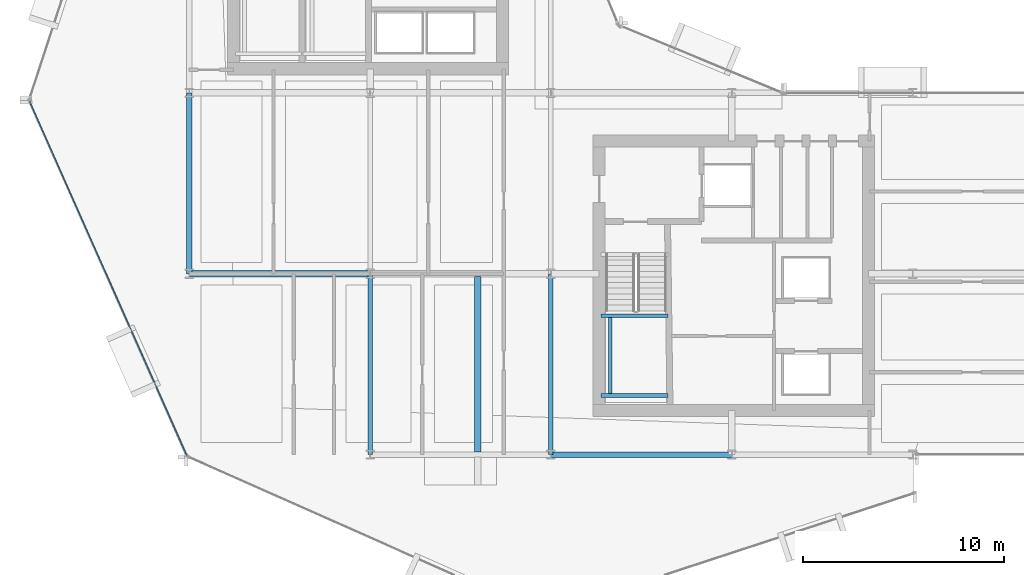
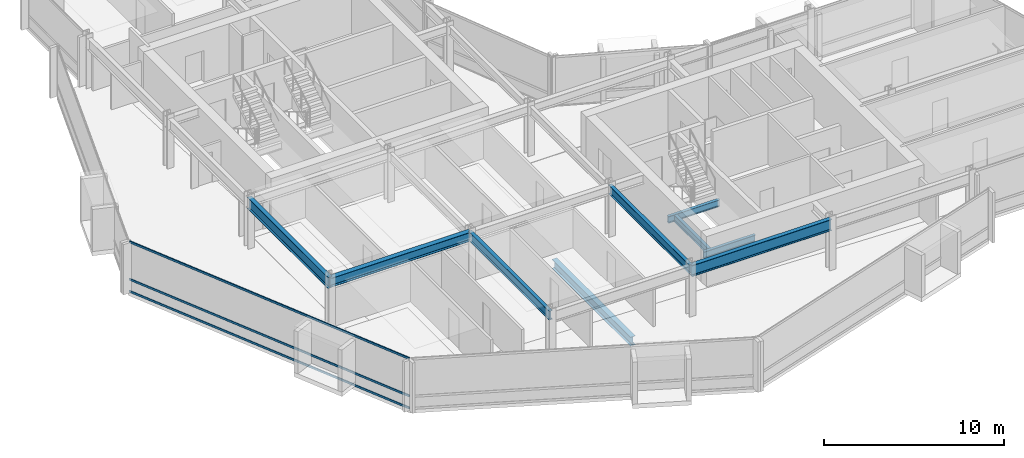
# One storey, part 5 of 29: 9 beams, 3 members, 1 element without a shape of its own.
"""IFC4 building model written with IfcOpenShell, lengths in metres."""

from ifc_helpers import new_model, si_unit, direction, frame, origin, origin_2d, place, context, subcontext, project, spatial, hollow_rectangle, i_section, extrude, material, layer, layer_set, material_profile, profile_set, type_object, element, aggregate, save


model = new_model("IFC4")

# Units and contexts
model_context = context("Model", 3, precision=1e-05, world=origin(), true_north=direction((0.0, 1.0)))
body_context = subcontext(model_context, "Body", "Model", "MODEL_VIEW")
ifc_project = project(units=[si_unit("LENGTHUNIT", "METRE"), si_unit("AREAUNIT", "SQUARE_METRE"), si_unit("VOLUMEUNIT", "CUBIC_METRE"), si_unit("PLANEANGLEUNIT", "RADIAN"), si_unit("MASSUNIT", "GRAM", prefix="KILO")], contexts=[model_context])

# Site, building, storey
site_placement = place(None, origin())
site = spatial("IfcSite", under=ifc_project, at=site_placement, CompositionType="ELEMENT")
building_placement = place(site_placement, origin())
building = spatial("IfcBuilding", under=site, at=building_placement, Name="Solvaryn Broadcast Tower", CompositionType="ELEMENT")
storey_placement = place(building_placement, frame((0.0, 0.0, 117.39990234375)))
storey = spatial("IfcBuildingStorey", under=building, at=storey_placement, Name="L28", CompositionType="ELEMENT", Elevation=117.39990234375)

# Beams
ifc_material_1 = material(Name="Steel ASTM A992 Grade 50", Category="steel")
ifc_material_profile_1 = material_profile(ifc_material_1, i_section(OverallWidth=0.323974609375, OverallDepth=0.611083984375, WebThickness=0.0126953125, FlangeThickness=0.01904296875, FilletRadius=0.014892578125, at=origin_2d()))
ifc_profile_set_1 = profile_set([ifc_material_profile_1], Name="Steel ASTM A992 Grade 50")
beam_type_1 = type_object("IfcBeamType", Name="BM-B1-W24X104", PredefinedType="BEAM", material=ifc_profile_set_1)
beam_1_placement = place(storey_placement, frame((23.35009765625, 17.875, -0.58544921875), z_axis=(0.0, -1.0, 0.0), x_axis=(1.0, 0.0, 0.0)))
element("IfcBeam", 1, at=beam_1_placement, inside=storey, type_object=beam_type_1, Name="L28 Bay-Box Back-Span Beam 1", PredefinedType="BEAM", context=body_context, shape_type="SweptSolid", body=[
    extrude(i_section(OverallWidth=0.323974609375, OverallDepth=0.611083984375, WebThickness=0.0126953125, FlangeThickness=0.01904296875, FilletRadius=0.014892578125, at=origin_2d()), origin(), (0.0, 0.0, 1.0), 8.75),
])
beam_2_placement = place(storey_placement, frame((9.0, 18.0, 3.114501953125), z_axis=(1.0, 0.0, 0.0), x_axis=(0.0, 1.0, 0.0)))
element("IfcBeam", 2, at=beam_2_placement, inside=storey, type_object=beam_type_1, Name="L28 Primary Beam X (9-18 @ Y=18)", PredefinedType="BEAM", context=body_context, shape_type="SweptSolid", body=[
    extrude(i_section(OverallWidth=0.323974609375, OverallDepth=0.611083984375, WebThickness=0.0126953125, FlangeThickness=0.01904296875, FilletRadius=0.014892578125, at=origin_2d()), origin(), (0.0, 0.0, 1.0), 9.0),
])
ifc_material_2 = material(Name="Steel ASTM A992 Grade 50", Category="steel")
ifc_material_profile_2 = material_profile(ifc_material_2, i_section(OverallWidth=0.22802734375, OverallDepth=0.60791015625, WebThickness=0.01123046875, FlangeThickness=0.017333984375, FilletRadius=0.014892578125, at=origin_2d()))
ifc_profile_set_2 = profile_set([ifc_material_profile_2], Name="Steel ASTM A992 Grade 50")
beam_type_2 = type_object("IfcBeamType", Name="BM-B2-W24X76", PredefinedType="BEAM", material=ifc_profile_set_2)
for number, where, z_axis, x_axis, name in (
    (3, (18.0, 9.0, 3.1162109375), (0.0, 1.0, 0.0), (-1.0, 0.0, 0.0), "L28 Primary Beam Y (9-18 @ X=18)"),
    (4, (27.0, 9.0, 3.1162109375), (0.0, 1.0, 0.0), (-1.0, 0.0, 0.0), "L28 Primary Beam Y (9-18 @ X=27)"),
):
    element("IfcBeam", number, at=place(storey_placement, frame(where, z_axis=z_axis, x_axis=x_axis)), inside=storey, type_object=beam_type_2, Name=name, PredefinedType="BEAM", context=body_context, shape_type="SweptSolid", body=[
        extrude(i_section(OverallWidth=0.22802734375, OverallDepth=0.60791015625, WebThickness=0.01123046875, FlangeThickness=0.017333984375, FilletRadius=0.014892578125, at=origin_2d()), origin(), (0.0, 0.0, 1.0), 9.0),
    ])
ifc_material_3 = material(Name="Steel ASTM A992 Grade 50", Category="steel")
ifc_material_profile_3 = material_profile(ifc_material_3, i_section(OverallWidth=0.18994140625, OverallDepth=0.45703125, WebThickness=0.009033203125, FlangeThickness=0.014404296875, FilletRadius=0.011962890625, at=origin_2d()))
ifc_profile_set_3 = profile_set([ifc_material_profile_3], Name="Steel ASTM A992 Grade 50")
beam_type_3 = type_object("IfcBeamType", Name="BM-B4-W18X50", PredefinedType="BEAM", material=ifc_profile_set_3)
for number, where, z_axis, x_axis, name in (
    (5, (29.5, 11.949951171875, 1.421630859375), (1.0, 0.0, 0.0), (0.0, 1.0, 0.0), "L28 ST3 Landing Support Beam 1A"),
    (6, (29.5, 15.909912109375, 1.421630859375), (1.0, 0.0, 0.0), (0.0, 1.0, 0.0), "L28 ST3 Landing Support Beam 1B"),
):
    element("IfcBeam", number, at=place(storey_placement, frame(where, z_axis=z_axis, x_axis=x_axis)), inside=storey, type_object=beam_type_3, Name=name, PredefinedType="BEAM", context=body_context, shape_type="SweptSolid", body=[
        extrude(i_section(OverallWidth=0.18994140625, OverallDepth=0.45703125, WebThickness=0.009033203125, FlangeThickness=0.014404296875, FilletRadius=0.011962890625, at=origin_2d()), origin(), (0.0, 0.0, 1.0), 3.320068359375),
    ])
beam_3_placement = place(storey_placement, frame((29.949951171875, 11.949951171875, 1.421630859375), z_axis=(0.0, 1.0, 0.0), x_axis=(-1.0, 0.0, 0.0)))
element("IfcBeam", 7, at=beam_3_placement, inside=storey, type_object=beam_type_3, Name="L28 ST3 Landing Cross Stringer 1C", PredefinedType="BEAM", context=body_context, shape_type="SweptSolid", body=[
    extrude(i_section(OverallWidth=0.18994140625, OverallDepth=0.45703125, WebThickness=0.009033203125, FlangeThickness=0.014404296875, FilletRadius=0.011962890625, at=origin_2d()), origin(), (0.0, 0.0, 1.0), 3.9599609375),
])
ifc_material_4 = material(Name="Steel ASTM A992 Grade 50", Category="steel")
ifc_material_profile_4 = material_profile(ifc_material_4, i_section(OverallWidth=0.26708984375, OverallDepth=0.76611328125, WebThickness=0.014892578125, FlangeThickness=0.023681640625, FilletRadius=0.01806640625, at=origin_2d()))
ifc_profile_set_4 = profile_set([ifc_material_profile_4], Name="Steel ASTM A992 Grade 50")
beam_type_4 = type_object("IfcBeamType", Name="BM-SP2-W30X124", PredefinedType="USERDEFINED", material=ifc_profile_set_4)
for number, where, z_axis, x_axis, name in (
    (8, (27.0, 9.0, 3.037109375), (1.0, 0.0, 0.0), (0.0, 1.0, 0.0), "L28 Spandrel Beam X (27-36 @ Y=9)"),
    (9, (9.0, 18.0, 3.037109375), (0.0, 1.0, 0.0), (-1.0, 0.0, 0.0), "L28 Spandrel Beam Y (18-27 @ X=9)"),
):
    element("IfcBeam", number, at=place(storey_placement, frame(where, z_axis=z_axis, x_axis=x_axis)), inside=storey, type_object=beam_type_4, Name=name, ObjectType="SPANDREL", PredefinedType="USERDEFINED", context=body_context, shape_type="SweptSolid", body=[
        extrude(i_section(OverallWidth=0.26708984375, OverallDepth=0.76611328125, WebThickness=0.014892578125, FlangeThickness=0.023681640625, FilletRadius=0.01806640625, at=origin_2d()), origin(), (0.0, 0.0, 1.0), 9.0),
    ])

# Curtain wall, members
ifc_material_5 = material(Name="Aluminium and Terracotta Unitised Curtain Wall", Category="masonry")
ifc_layer = layer(ifc_material_5, 0.239990234375)
ifc_layer_set = layer_set([ifc_layer], Name="CW-SYS3-BAYBOX")
curtain_wall_type = type_object("IfcCurtainWallType", Name="CW-SYS3-BAYBOX", PredefinedType="NOTDEFINED", material=ifc_layer_set)
curtain_wall_placement = place(storey_placement, origin())
curtain_wall = element("IfcCurtainWall", 10, at=curtain_wall_placement, inside=storey, type_object=curtain_wall_type, Name="L28 Curtain Wall DR2", PredefinedType="NOTDEFINED")
ifc_material_6 = material(Name="Anodised Aluminium 6063-T6", Category="aluminium")
ifc_material_profile_5 = material_profile(ifc_material_6, hollow_rectangle(XDim=0.06494140625, YDim=0.14990234375, WallThickness=0.00390625, InnerFilletRadius=0.00390625, OuterFilletRadius=0.008056640625, at=origin_2d()))
ifc_profile_set_5 = profile_set([ifc_material_profile_5], Name="Anodised Aluminium 6063-T6")
member_type = type_object("IfcMemberType", Name="CW-TRN-150", PredefinedType="USERDEFINED", material=ifc_profile_set_5)
member_1_placement = place(storey_placement, frame((1.058349609375, 26.5810546875, 0.030029296875), z_axis=(0.405917546252, -0.913909703223, 0.0), x_axis=(0.913909703223, 0.405917546252, 0.0)))
member_1 = element("IfcMember", 11, at=member_1_placement, type_object=member_type, Name="CWS3 transom 1.1", ObjectType="TRANSOM", PredefinedType="USERDEFINED", context=body_context, shape_type="SweptSolid", body=[
    extrude(hollow_rectangle(XDim=0.06494140625, YDim=0.14990234375, WallThickness=0.00390625, InnerFilletRadius=0.00390625, OuterFilletRadius=0.008056640625, at=origin_2d()), origin(), (0.0, 0.0, 1.0), 19.27783203125),
])
member_2_placement = place(storey_placement, frame((1.058349609375, 26.5810546875, 0.85009765625), z_axis=(0.405917546252, -0.913909703223, 0.0), x_axis=(0.913909703223, 0.405917546252, 0.0)))
member_2 = element("IfcMember", 12, at=member_2_placement, type_object=member_type, Name="CWS3 transom 1.2", ObjectType="TRANSOM", PredefinedType="USERDEFINED", context=body_context, shape_type="SweptSolid", body=[
    extrude(hollow_rectangle(XDim=0.06494140625, YDim=0.14990234375, WallThickness=0.00390625, InnerFilletRadius=0.00390625, OuterFilletRadius=0.008056640625, at=origin_2d()), origin(), (0.0, 0.0, 1.0), 19.27783203125),
])
member_3_placement = place(storey_placement, frame((1.058349609375, 26.5810546875, 3.39013671875), z_axis=(0.405917546252, -0.913909703223, 0.0), x_axis=(0.913909703223, 0.405917546252, 0.0)))
member_3 = element("IfcMember", 13, at=member_3_placement, type_object=member_type, Name="CWS3 transom 1.3", ObjectType="TRANSOM", PredefinedType="USERDEFINED", context=body_context, shape_type="SweptSolid", body=[
    extrude(hollow_rectangle(XDim=0.06494140625, YDim=0.14990234375, WallThickness=0.00390625, InnerFilletRadius=0.00390625, OuterFilletRadius=0.008056640625, at=origin_2d()), origin(), (0.0, 0.0, 1.0), 19.27783203125),
])
aggregate(curtain_wall, [member_1, member_2, member_3])

save(model, "model.ifc")
